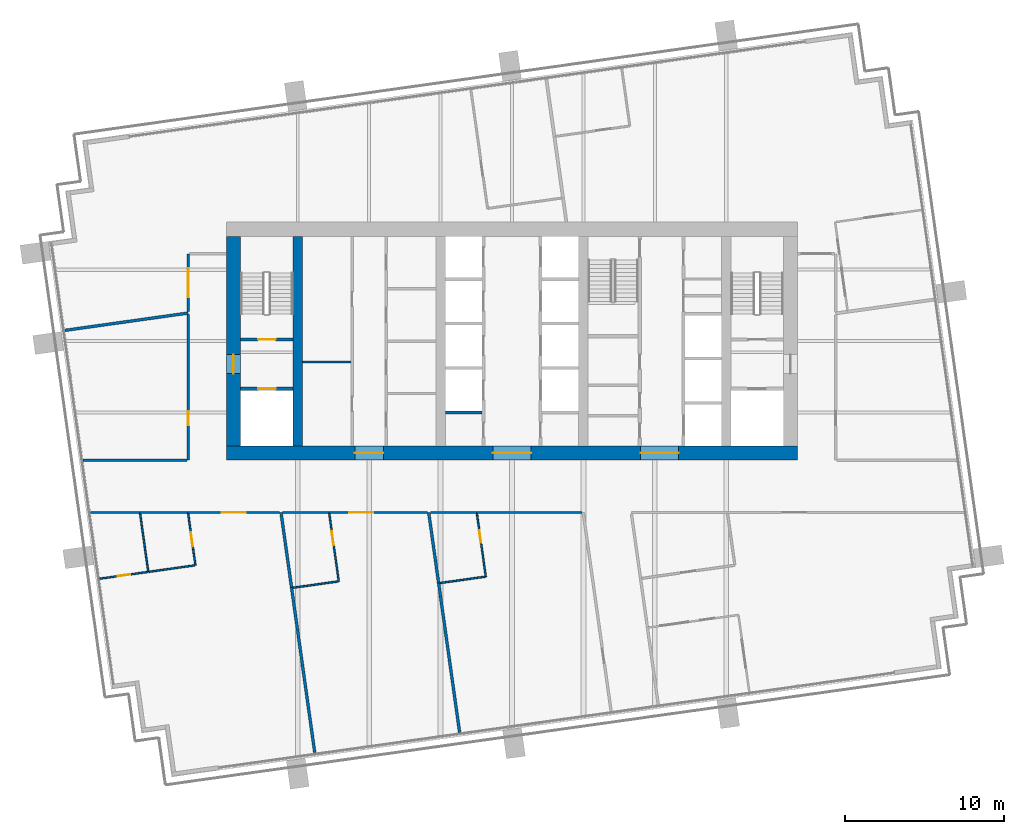
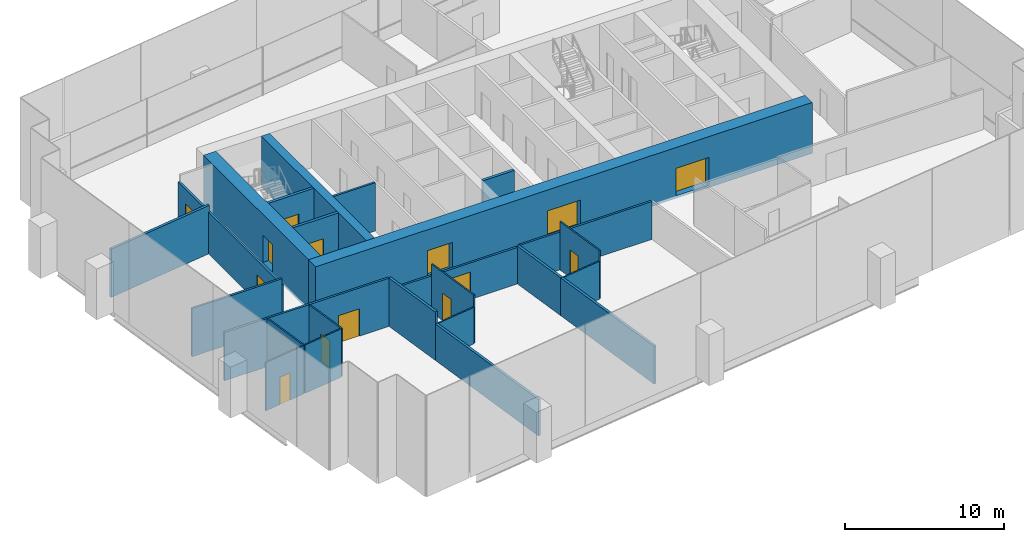
# One storey, part 9 of 17: 30 walls, 14 doors, 14 openings.
"""IFC4 building model written with IfcOpenShell, lengths in metres."""

from ifc_helpers import new_model, si_unit, direction, frame, frame_2d, origin, place, context, subcontext, project, spatial, rectangle, extrude, material, layer, layer_set, type_object, element, fill, save


model = new_model("IFC4")

# Units and contexts
model_context = context("Model", 3, precision=1e-05, world=origin(), true_north=direction((0.0, 1.0)))
body_context = subcontext(model_context, "Body", "Model", "MODEL_VIEW")
ifc_project = project(units=[si_unit("LENGTHUNIT", "METRE"), si_unit("AREAUNIT", "SQUARE_METRE"), si_unit("VOLUMEUNIT", "CUBIC_METRE"), si_unit("PLANEANGLEUNIT", "RADIAN"), si_unit("MASSUNIT", "GRAM", prefix="KILO")], contexts=[model_context])

# Site, building, storey
site_placement = place(None, origin())
site = spatial("IfcSite", under=ifc_project, at=site_placement, CompositionType="ELEMENT")
building_placement = place(site_placement, origin())
building = spatial("IfcBuilding", under=site, at=building_placement, Name="Rattan Terrace Tower", CompositionType="ELEMENT")
storey_placement = place(building_placement, frame((0.0, 0.0, 191.89990234375)))
storey = spatial("IfcBuildingStorey", under=building, at=storey_placement, Name="L44", CompositionType="ELEMENT", Elevation=191.89990234375)

# Wall
ifc_material_1 = material(Name="Gypsum board partition")
ifc_layer_1 = layer(ifc_material_1, 0.14990234375)
ifc_layer_set_1 = layer_set([ifc_layer_1], Name="Core partition 150")
wall_type_1 = type_object("IfcWallType", Name="Core partition 150", PredefinedType="PARTITIONING", material=ifc_layer_set_1)
wall_1_placement = place(storey_placement, frame((-13.199951171875, -1.320068359375, 0.0), z_axis=(0.0, 0.0, 1.0), x_axis=(1.0, 0.0, 0.0)))
element("IfcWall", 1, at=wall_1_placement, inside=storey, type_object=wall_type_1, Name="Core room wall", PredefinedType="PARTITIONING", context=body_context, shape_type="SweptSolid", body=[
    extrude(rectangle(XDim=3.050048828125, YDim=0.14990234375, at=frame_2d((1.52490234375, 0.0))), origin(), (0.0, 0.0, 1.0), 3.7001953125),
])

# Wall, opening, door
ifc_material_2 = material(Name="Gypsum board partition")
ifc_layer_2 = layer(ifc_material_2, 0.199951171875)
ifc_layer_set_2 = layer_set([ifc_layer_2], Name="Core partition 200")
wall_type_2 = type_object("IfcWallType", Name="Core partition 200", PredefinedType="PARTITIONING", material=ifc_layer_set_2)
wall_2_placement = place(storey_placement, frame((-17.10009765625, -3.0, 0.0), z_axis=(0.0, 0.0, 1.0), x_axis=(1.0, 0.0, 0.0)))
wall_2 = element("IfcWall", 2, at=wall_2_placement, inside=storey, type_object=wall_type_2, Name="Fire-fighting lobby wall", PredefinedType="PARTITIONING", context=body_context, shape_type="SweptSolid", body=[
    extrude(rectangle(XDim=3.300048828125, YDim=0.199951171875, at=frame_2d((1.64990234375, 0.0))), origin(), (0.0, 0.0, 1.0), 3.7001953125),
])
opening_1_placement = place(wall_2_placement, frame((1.10009765625, 0.0, 0.0)))
opening_1 = element("IfcOpeningElement", 3, at=opening_1_placement, cuts=wall_2, Name="Opening L44-LD-FF1", PredefinedType="OPENING", context=body_context, shape_type="SweptSolid", body=[
    extrude(rectangle(XDim=1.10009765625, YDim=2.10009765625, at=frame_2d((0.550048828125, 1.050048828125))), frame((0.0, 0.110595703125, 0.0), z_axis=(0.0, -1.0, 0.0), x_axis=(1.0, 0.0, 0.0)), (0.0, 0.0, 1.0), 0.220947265625),
])
ifc_material_3 = material(Name="Brushed stainless landing door panel")
door_type_1 = type_object("IfcDoorType", Name="Core lift landing door 1100", OperationType="DOUBLE_DOOR_SLIDING", PredefinedType="DOOR", material=ifc_material_3)
door_1_placement = place(opening_1_placement, origin())
door_1 = element("IfcDoor", 4, at=door_1_placement, inside=storey, type_object=door_type_1, Name="Door L44-LD-FF1", OperationType="DOUBLE_DOOR_SLIDING", OverallHeight=2.10009765625, OverallWidth=1.10009765625, PredefinedType="DOOR", context=body_context, shape_type="SweptSolid", body=[
    extrude(rectangle(XDim=1.10009765625, YDim=2.10009765625, at=frame_2d((0.550048828125, 1.050048828125))), frame((0.0, 0.02490234375, 0.0), z_axis=(0.0, -1.0, 0.0), x_axis=(1.0, 0.0, 0.0)), (0.0, 0.0, 1.0), 0.050048828125),
])
fill(opening_1, door_1)

wall_3_placement = place(storey_placement, frame((-17.10009765625, 0.10009765625, 0.0), z_axis=(0.0, 0.0, 1.0), x_axis=(1.0, 0.0, 0.0)))
wall_3 = element("IfcWall", 5, at=wall_3_placement, inside=storey, type_object=wall_type_2, Name="Stair enclosure wall", PredefinedType="PARTITIONING", context=body_context, shape_type="SweptSolid", body=[
    extrude(rectangle(XDim=3.300048828125, YDim=0.199951171875, at=frame_2d((1.64990234375, 0.0))), origin(), (0.0, 0.0, 1.0), 3.7001953125),
])
opening_2_placement = place(wall_3_placement, frame((1.10009765625, 0.0, 0.0)))
opening_2 = element("IfcOpeningElement", 6, at=opening_2_placement, cuts=wall_3, Name="Opening L44-D002", PredefinedType="OPENING", context=body_context, shape_type="SweptSolid", body=[
    extrude(rectangle(XDim=1.10009765625, YDim=2.10009765625, at=frame_2d((0.550048828125, 1.050048828125))), frame((0.0, 0.110595703125, 0.0), z_axis=(0.0, -1.0, 0.0), x_axis=(1.0, 0.0, 0.0)), (0.0, 0.0, 1.0), 0.220947265625),
])
ifc_material_4 = material(Name="Hollow-metal fire door leaf")
door_type_2 = type_object("IfcDoorType", Name="Core stair door 1100", OperationType="NOTDEFINED", PredefinedType="DOOR", material=ifc_material_4)
door_2_placement = place(opening_2_placement, origin())
door_2 = element("IfcDoor", 7, at=door_2_placement, inside=storey, type_object=door_type_2, Name="Door L44-D002", OperationType="SINGLE_SWING_RIGHT", OverallHeight=2.10009765625, OverallWidth=1.10009765625, PredefinedType="DOOR", context=body_context, shape_type="SweptSolid", body=[
    extrude(rectangle(XDim=1.10009765625, YDim=2.10009765625, at=frame_2d((0.550048828125, 1.050048828125))), frame((0.0, 0.02490234375, 0.0), z_axis=(0.0, -1.0, 0.0), x_axis=(1.0, 0.0, 0.0)), (0.0, 0.0, 1.0), 0.050048828125),
])
fill(opening_2, door_2)

# Wall, openings, doors
ifc_material_5 = material(Name="Concrete C60/75", Category="concrete")
ifc_layer_3 = layer(ifc_material_5, 0.89990234375)
ifc_layer_set_3 = layer_set([ifc_layer_3], Name="Core ring wall 900 C60/75")
wall_type_3 = type_object("IfcWallType", Name="Core ring wall 900 C60/75", PredefinedType="SHEAR", material=ifc_layer_set_3)
wall_4_placement = place(storey_placement, frame((-18.0, -7.050048828125, -0.199951171875), z_axis=(0.0, 0.0, 1.0), x_axis=(1.0, 0.0, 0.0)))
wall_4 = element("IfcWall", 8, at=wall_4_placement, inside=storey, type_object=wall_type_3, Name="Rear core wall south", PredefinedType="SHEAR", context=body_context, shape_type="SweptSolid", body=[
    extrude(rectangle(XDim=36.0, YDim=0.89990234375, at=frame_2d((18.0, 0.0))), origin(), (0.0, 0.0, 1.0), 3.900146484375),
])
opening_3_placement = place(wall_4_placement, frame((8.10009765625, 0.0, 0.199951171875)))
opening_3 = element("IfcOpeningElement", 9, at=opening_3_placement, cuts=wall_4, Name="Opening L44-D011", PredefinedType="OPENING", context=body_context, shape_type="SweptSolid", body=[
    extrude(rectangle(XDim=1.800048828125, YDim=2.10009765625, at=frame_2d((0.89990234375, 1.050048828125))), frame((0.0, 0.46044921875, 0.0), z_axis=(0.0, -1.0, 0.0), x_axis=(1.0, 0.0, 0.0)), (0.0, 0.0, 1.0), 0.9208984375),
])
opening_4_placement = place(wall_4_placement, frame((16.800048828125, 0.0, 0.199951171875)))
opening_4 = element("IfcOpeningElement", 10, at=opening_4_placement, cuts=wall_4, Name="Opening L44-D014", PredefinedType="OPENING", context=body_context, shape_type="SweptSolid", body=[
    extrude(rectangle(XDim=2.39990234375, YDim=2.10009765625, at=frame_2d((1.199951171875, 1.050048828125))), frame((0.0, 0.46044921875, 0.0), z_axis=(0.0, -1.0, 0.0), x_axis=(1.0, 0.0, 0.0)), (0.0, 0.0, 1.0), 0.9208984375),
])
opening_5_placement = place(wall_4_placement, frame((26.10009765625, 0.0, 0.199951171875)))
opening_5 = element("IfcOpeningElement", 11, at=opening_5_placement, cuts=wall_4, Name="Opening L44-D019", PredefinedType="OPENING", context=body_context, shape_type="SweptSolid", body=[
    extrude(rectangle(XDim=2.39990234375, YDim=2.10009765625, at=frame_2d((1.199951171875, 1.050048828125))), frame((0.0, 0.46044921875, 0.0), z_axis=(0.0, -1.0, 0.0), x_axis=(1.0, 0.0, 0.0)), (0.0, 0.0, 1.0), 0.9208984375),
])
ifc_material_6 = material(Name="Hollow-metal fire door leaf")
door_type_3 = type_object("IfcDoorType", Name="Core lift lobby door 2400", OperationType="NOTDEFINED", PredefinedType="DOOR", material=ifc_material_6)
door_3_placement = place(opening_4_placement, origin())
door_3 = element("IfcDoor", 12, at=door_3_placement, inside=storey, type_object=door_type_3, Name="Door L44-D014", OperationType="DOUBLE_DOOR_DOUBLE_SWING", OverallHeight=2.10009765625, OverallWidth=2.39990234375, PredefinedType="DOOR", context=body_context, shape_type="SweptSolid", body=[
    extrude(rectangle(XDim=2.39990234375, YDim=2.10009765625, at=frame_2d((1.199951171875, 1.050048828125))), frame((0.0, 0.02490234375, 0.0), z_axis=(0.0, -1.0, 0.0), x_axis=(1.0, 0.0, 0.0)), (0.0, 0.0, 1.0), 0.050048828125),
])
fill(opening_4, door_3)
door_4_placement = place(opening_5_placement, origin())
door_4 = element("IfcDoor", 13, at=door_4_placement, inside=storey, type_object=door_type_3, Name="Door L44-D019", OperationType="DOUBLE_DOOR_DOUBLE_SWING", OverallHeight=2.10009765625, OverallWidth=2.39990234375, PredefinedType="DOOR", context=body_context, shape_type="SweptSolid", body=[
    extrude(rectangle(XDim=2.39990234375, YDim=2.10009765625, at=frame_2d((1.199951171875, 1.050048828125))), frame((0.0, 0.02490234375, 0.0), z_axis=(0.0, -1.0, 0.0), x_axis=(1.0, 0.0, 0.0)), (0.0, 0.0, 1.0), 0.050048828125),
])
fill(opening_5, door_4)
ifc_material_7 = material(Name="Hollow-metal fire door leaf")
door_type_4 = type_object("IfcDoorType", Name="Core service room door 1800", OperationType="NOTDEFINED", PredefinedType="DOOR", material=ifc_material_7)
door_5_placement = place(opening_3_placement, origin())
door_5 = element("IfcDoor", 14, at=door_5_placement, inside=storey, type_object=door_type_4, Name="Door L44-D011", OperationType="SINGLE_SWING_LEFT", OverallHeight=2.10009765625, OverallWidth=1.800048828125, PredefinedType="DOOR", context=body_context, shape_type="SweptSolid", body=[
    extrude(rectangle(XDim=1.800048828125, YDim=2.10009765625, at=frame_2d((0.89990234375, 1.050048828125))), frame((0.0, 0.02490234375, 0.0), z_axis=(0.0, -1.0, 0.0), x_axis=(1.0, 0.0, 0.0)), (0.0, 0.0, 1.0), 0.050048828125),
])
fill(opening_3, door_5)

# Wall, opening, door
wall_5_placement = place(storey_placement, frame((-17.550048828125, -6.60009765625, -0.199951171875), z_axis=(0.0, 0.0, 1.0), x_axis=(0.0, 1.0, 0.0)))
wall_5 = element("IfcWall", 15, at=wall_5_placement, inside=storey, type_object=wall_type_3, Name="Rear core wall west", PredefinedType="SHEAR", context=body_context, shape_type="SweptSolid", body=[
    extrude(rectangle(XDim=13.2001953125, YDim=0.89990234375, at=frame_2d((6.60009765625, 0.0))), origin(), (0.0, 0.0, 1.0), 3.900146484375),
])
opening_6_placement = place(wall_5_placement, frame((4.550048828125, 0.0, 0.199951171875)))
opening_6 = element("IfcOpeningElement", 16, at=opening_6_placement, cuts=wall_5, Name="Opening L44-D001", PredefinedType="OPENING", context=body_context, shape_type="SweptSolid", body=[
    extrude(rectangle(XDim=1.199951171875, YDim=2.10009765625, at=frame_2d((0.60009765625, 1.050048828125))), frame((0.0, 0.46044921875, 0.0), z_axis=(0.0, -1.0, 0.0), x_axis=(1.0, 0.0, 0.0)), (0.0, 0.0, 1.0), 0.9208984375),
])
ifc_material_8 = material(Name="Hollow-metal fire door leaf")
door_type_5 = type_object("IfcDoorType", Name="Core fire-fighting lobby door 1200", OperationType="NOTDEFINED", PredefinedType="DOOR", material=ifc_material_8)
door_6_placement = place(opening_6_placement, origin())
door_6 = element("IfcDoor", 17, at=door_6_placement, inside=storey, type_object=door_type_5, Name="Door L44-D001", OperationType="SINGLE_SWING_LEFT", OverallHeight=2.10009765625, OverallWidth=1.199951171875, PredefinedType="DOOR", context=body_context, shape_type="SweptSolid", body=[
    extrude(rectangle(XDim=1.199951171875, YDim=2.10009765625, at=frame_2d((0.60009765625, 1.050048828125))), frame((0.0, 0.02490234375, 0.0), z_axis=(0.0, -1.0, 0.0), x_axis=(1.0, 0.0, 0.0)), (0.0, 0.0, 1.0), 0.050048828125),
])
fill(opening_6, door_6)

# Walls
ifc_material_9 = material(Name="Concrete C60/75", Category="concrete")
ifc_layer_4 = layer(ifc_material_9, 0.60009765625)
ifc_layer_set_4 = layer_set([ifc_layer_4], Name="Core spine wall 600 C60/75")
wall_type_4 = type_object("IfcWallType", Name="Core spine wall 600 C60/75", PredefinedType="SHEAR", material=ifc_layer_set_4)
wall_6_placement = place(storey_placement, frame((-13.5, -6.60009765625, -0.199951171875), z_axis=(0.0, 0.0, 1.0), x_axis=(0.0, 1.0, 0.0)))
element("IfcWall", 18, at=wall_6_placement, inside=storey, type_object=wall_type_4, Name="Core spine wall 1", PredefinedType="SHEAR", context=body_context, shape_type="SweptSolid", body=[
    extrude(rectangle(XDim=13.2001953125, YDim=0.60009765625, at=frame_2d((6.60009765625, 0.0))), origin(), (0.0, 0.0, 1.0), 3.900146484375),
])
ifc_material_10 = material(Name="Double steel stud acoustic partition, gypsum board, mineral wool, fire rated", Category="steel")
ifc_layer_5 = layer(ifc_material_10, 0.179931640625)
ifc_layer_set_5 = layer_set([ifc_layer_5], Name="Floors Acoustic Party Wall 180")
wall_type_5 = type_object("IfcWallType", Name="Floors Acoustic Party Wall 180", PredefinedType="PARTITIONING", material=ifc_layer_set_5)
wall_7_placement = place(storey_placement, frame((-13.887939453125, -15.532958984375, 0.0), z_axis=(0.0, 0.0, 1.0), x_axis=(0.139107013986, -0.990277354411, 0.0)))
element("IfcWall", 19, at=wall_7_placement, inside=storey, type_object=wall_type_5, Name="pt-L44-025", PredefinedType="PARTITIONING", context=body_context, shape_type="SweptSolid", body=[
    extrude(rectangle(XDim=10.502197265625, YDim=0.179931640625, at=frame_2d((5.2509765625, 0.0))), origin(), (0.0, 0.0, 1.0), 2.800048828125),
])
wall_8_placement = place(storey_placement, frame((-14.552978515625, -10.800048828125, 0.0), z_axis=(0.0, 0.0, 1.0), x_axis=(0.139146821365, -0.990271761742, 0.0)))
element("IfcWall", 20, at=wall_8_placement, inside=storey, type_object=wall_type_5, Name="pt-L44-026", PredefinedType="PARTITIONING", context=body_context, shape_type="SweptSolid", body=[
    extrude(rectangle(XDim=4.779296875, YDim=0.179931640625, at=frame_2d((2.3896484375, 0.0))), origin(), (0.0, 0.0, 1.0), 3.7001953125),
])
wall_9_placement = place(storey_placement, frame((-4.6240234375, -15.237060546875, 0.0), z_axis=(0.0, 0.0, 1.0), x_axis=(0.13917022879, -0.990268472395, 0.0)))
element("IfcWall", 21, at=wall_9_placement, inside=storey, type_object=wall_type_5, Name="pt-L44-030", PredefinedType="PARTITIONING", context=body_context, shape_type="SweptSolid", body=[
    extrude(rectangle(XDim=9.50634765625, YDim=0.179931640625, at=frame_2d((4.753173828125, 0.0))), origin(), (0.0, 0.0, 1.0), 2.900146484375),
])
wall_10_placement = place(storey_placement, frame((-5.248046875, -10.800048828125, 0.0), z_axis=(0.0, 0.0, 1.0), x_axis=(0.139299923233, -0.990250236752, 0.0)))
element("IfcWall", 22, at=wall_10_placement, inside=storey, type_object=wall_type_5, Name="pt-L44-031", PredefinedType="PARTITIONING", context=body_context, shape_type="SweptSolid", body=[
    extrude(rectangle(XDim=4.479736328125, YDim=0.179931640625, at=frame_2d((2.23974609375, 0.0))), origin(), (0.0, 0.0, 1.0), 2.900146484375),
])
wall_11_placement = place(storey_placement, frame((-28.166015625, 0.676025390625, 0.0), z_axis=(0.0, 0.0, 1.0), x_axis=(0.990274949164, 0.139124135423, 0.0)))
element("IfcWall", 23, at=wall_11_placement, inside=storey, type_object=wall_type_5, Name="pt-L44-038", PredefinedType="PARTITIONING", context=body_context, shape_type="SweptSolid", body=[
    extrude(rectangle(XDim=7.84228515625, YDim=0.179931640625, at=frame_2d((3.921142578125, 0.0))), origin(), (0.0, 0.0, 1.0), 3.7001953125),
])

# Wall, opening, door
ifc_material_11 = material(Name="Gypsum board partition on steel studs", Category="steel")
ifc_layer_6 = layer(ifc_material_11, 0.10009765625)
ifc_layer_set_6 = layer_set([ifc_layer_6], Name="Floors Partition 100")
wall_type_6 = type_object("IfcWallType", Name="Floors Partition 100", PredefinedType="PARTITIONING", material=ifc_layer_set_6)
wall_12_placement = place(storey_placement, frame((-25.966064453125, -14.969970703125, 0.0), z_axis=(0.0, 0.0, 1.0), x_axis=(0.990303801212, 0.138918613964, 0.0)))
wall_12 = element("IfcWall", 24, at=wall_12_placement, inside=storey, type_object=wall_type_6, Name="pt-L44-022", PredefinedType="PARTITIONING", context=body_context, shape_type="SweptSolid", body=[
    extrude(rectangle(XDim=3.059814453125, YDim=0.10009765625, at=frame_2d((1.52978515625, 0.0))), origin(), (0.0, 0.0, 1.0), 3.7001953125),
])
opening_7_placement = place(wall_12_placement, frame((1.1298828125, 0.0, 0.0)))
opening_7 = element("IfcOpeningElement", 25, at=opening_7_placement, cuts=wall_12, Name="Opening L44-D101", PredefinedType="OPENING", context=body_context, shape_type="SweptSolid", body=[
    extrude(rectangle(XDim=0.800048828125, YDim=2.10009765625, at=frame_2d((0.39990234375, 1.050048828125))), frame((0.0, 0.060546875, 0.0), z_axis=(0.0, -1.0, 0.0), x_axis=(1.0, 0.0, 0.0)), (0.0, 0.0, 1.0), 0.12109375),
])
ifc_material_12 = material(Name="Solid core timber door, painted", Category="wood")
door_type_6 = type_object("IfcDoorType", Name="Floors Store Door 800x2100", OperationType="NOTDEFINED", PredefinedType="DOOR", material=ifc_material_12)
door_7_placement = place(opening_7_placement, origin())
door_7 = element("IfcDoor", 26, at=door_7_placement, inside=storey, type_object=door_type_6, Name="d-L44-101", OperationType="SINGLE_SWING_RIGHT", OverallHeight=2.10009765625, OverallWidth=0.800048828125, PredefinedType="DOOR", context=body_context, shape_type="SweptSolid", body=[
    extrude(rectangle(XDim=0.800048828125, YDim=2.10009765625, at=frame_2d((0.39990234375, 1.050048828125))), frame((0.0, 0.02490234375, 0.0), z_axis=(0.0, -1.0, 0.0), x_axis=(1.0, 0.0, 0.0)), (0.0, 0.0, 1.0), 0.050048828125),
])
fill(opening_7, door_7)

# Wall
wall_13_placement = place(storey_placement, frame((-22.865966796875, -14.534912109375, 0.0), z_axis=(0.0, 0.0, 1.0), x_axis=(0.9902520421, 0.139287088837, 0.0)))
element("IfcWall", 27, at=wall_13_placement, inside=storey, type_object=wall_type_6, Name="pt-L44-023", PredefinedType="PARTITIONING", context=body_context, shape_type="SweptSolid", body=[
    extrude(rectangle(XDim=2.899169921875, YDim=0.10009765625, at=frame_2d((1.44970703125, 0.0))), origin(), (0.0, 0.0, 1.0), 3.7001953125),
])

# Wall, opening, door
wall_14_placement = place(storey_placement, frame((-19.945068359375, -14.1240234375, 0.0), z_axis=(0.0, 0.0, 1.0), x_axis=(-0.139290097993, 0.990251618833, 0.0)))
wall_14 = element("IfcWall", 28, at=wall_14_placement, inside=storey, type_object=wall_type_6, Name="pt-L44-024", PredefinedType="PARTITIONING", context=body_context, shape_type="SweptSolid", body=[
    extrude(rectangle(XDim=3.2880859375, YDim=0.10009765625, at=frame_2d((1.64404296875, 0.0))), origin(), (0.0, 0.0, 1.0), 3.7001953125),
])
opening_8_placement = place(wall_14_placement, frame((1.194091796875, 0.0, 0.0)))
opening_8 = element("IfcOpeningElement", 29, at=opening_8_placement, cuts=wall_14, Name="Opening L44-D102", PredefinedType="OPENING", context=body_context, shape_type="SweptSolid", body=[
    extrude(rectangle(XDim=0.89990234375, YDim=2.10009765625, at=frame_2d((0.449951171875, 1.050048828125))), frame((0.0, 0.060546875, 0.0), z_axis=(0.0, -1.0, 0.0), x_axis=(1.0, 0.0, 0.0)), (0.0, 0.0, 1.0), 0.12109375),
])
ifc_material_13 = material(Name="Solid core timber door, painted", Category="wood")
door_type_7 = type_object("IfcDoorType", Name="Floors Door 900x2100", OperationType="NOTDEFINED", PredefinedType="DOOR", material=ifc_material_13)
door_8_placement = place(opening_8_placement, origin())
door_8 = element("IfcDoor", 30, at=door_8_placement, inside=storey, type_object=door_type_7, Name="d-L44-102", OperationType="SINGLE_SWING_LEFT", OverallHeight=2.10009765625, OverallWidth=0.89990234375, PredefinedType="DOOR", context=body_context, shape_type="SweptSolid", body=[
    extrude(rectangle(XDim=0.89990234375, YDim=2.10009765625, at=frame_2d((0.449951171875, 1.050048828125))), frame((0.0, 0.02490234375, 0.0), z_axis=(0.0, -1.0, 0.0), x_axis=(1.0, 0.0, 0.0)), (0.0, 0.0, 1.0), 0.050048828125),
])
fill(opening_8, door_8)

# Walls
wall_15_placement = place(storey_placement, frame((-23.431884765625, -10.867919921875, 0.0), z_axis=(0.0, 0.0, 1.0), x_axis=(0.139044103827, -0.990286189539, 0.0)))
element("IfcWall", 31, at=wall_15_placement, inside=storey, type_object=wall_type_6, Name="pt-L44-027", PredefinedType="PARTITIONING", context=body_context, shape_type="SweptSolid", body=[
    extrude(rectangle(XDim=3.710205078125, YDim=0.10009765625, at=frame_2d((1.85498046875, 0.0))), origin(), (0.0, 0.0, 1.0), 3.7001953125),
])
wall_16_placement = place(storey_placement, frame((-13.7958984375, -15.541015625, 0.0), z_axis=(0.0, 0.0, 1.0), x_axis=(0.990263018372, 0.139209031475, 0.0)))
element("IfcWall", 32, at=wall_16_placement, inside=storey, type_object=wall_type_6, Name="pt-L44-028", PredefinedType="PARTITIONING", context=body_context, shape_type="SweptSolid", body=[
    extrude(rectangle(XDim=2.858642578125, YDim=0.10009765625, at=frame_2d((1.42919921875, 0.0))), origin(), (0.0, 0.0, 1.0), 2.800048828125),
])

# Wall, opening, door
wall_17_placement = place(storey_placement, frame((-10.9150390625, -15.135986328125, 0.0), z_axis=(0.0, 0.0, 1.0), x_axis=(-0.138954517122, 0.990298764097, 0.0)))
wall_17 = element("IfcWall", 33, at=wall_17_placement, inside=storey, type_object=wall_type_6, Name="pt-L44-029", PredefinedType="PARTITIONING", context=body_context, shape_type="SweptSolid", body=[
    extrude(rectangle(XDim=4.309814453125, YDim=0.10009765625, at=frame_2d((2.15478515625, 0.0))), origin(), (0.0, 0.0, 1.0), 3.7001953125),
])
opening_9_placement = place(wall_17_placement, frame((2.287109375, 0.0, 0.0)))
opening_9 = element("IfcOpeningElement", 34, at=opening_9_placement, cuts=wall_17, Name="Opening L44-D104", PredefinedType="OPENING", context=body_context, shape_type="SweptSolid", body=[
    extrude(rectangle(XDim=0.89990234375, YDim=2.10009765625, at=frame_2d((0.449951171875, 1.050048828125))), frame((0.0, 0.060546875, 0.0), z_axis=(0.0, -1.0, 0.0), x_axis=(1.0, 0.0, 0.0)), (0.0, 0.0, 1.0), 0.12109375),
])
door_9_placement = place(opening_9_placement, origin())
door_9 = element("IfcDoor", 35, at=door_9_placement, inside=storey, type_object=door_type_7, Name="d-L44-104", OperationType="SINGLE_SWING_RIGHT", OverallHeight=2.10009765625, OverallWidth=0.89990234375, PredefinedType="DOOR", context=body_context, shape_type="SweptSolid", body=[
    extrude(rectangle(XDim=0.89990234375, YDim=2.10009765625, at=frame_2d((0.449951171875, 1.050048828125))), frame((0.0, 0.02490234375, 0.0), z_axis=(0.0, -1.0, 0.0), x_axis=(1.0, 0.0, 0.0)), (0.0, 0.0, 1.0), 0.050048828125),
])
fill(opening_9, door_9)

# Wall
wall_18_placement = place(storey_placement, frame((-4.531982421875, -15.243896484375, 0.0), z_axis=(0.0, 0.0, 1.0), x_axis=(0.990264673226, 0.139197259172, 0.0)))
element("IfcWall", 36, at=wall_18_placement, inside=storey, type_object=wall_type_6, Name="pt-L44-032", PredefinedType="PARTITIONING", context=body_context, shape_type="SweptSolid", body=[
    extrude(rectangle(XDim=2.85888671875, YDim=0.10009765625, at=frame_2d((1.429443359375, 0.0))), origin(), (0.0, 0.0, 1.0), 2.900146484375),
])

# Wall, opening, door
wall_19_placement = place(storey_placement, frame((-1.65087890625, -14.839111328125, 0.0), z_axis=(0.0, 0.0, 1.0), x_axis=(-0.139170879072, 0.990268381005, 0.0)))
wall_19 = element("IfcWall", 37, at=wall_19_placement, inside=storey, type_object=wall_type_6, Name="pt-L44-033", PredefinedType="PARTITIONING", context=body_context, shape_type="SweptSolid", body=[
    extrude(rectangle(XDim=4.01025390625, YDim=0.10009765625, at=frame_2d((2.005126953125, 0.0))), origin(), (0.0, 0.0, 1.0), 3.7001953125),
])
opening_10_placement = place(wall_19_placement, frame((2.14697265625, 0.0, 0.0)))
opening_10 = element("IfcOpeningElement", 38, at=opening_10_placement, cuts=wall_19, Name="Opening L44-D106", PredefinedType="OPENING", context=body_context, shape_type="SweptSolid", body=[
    extrude(rectangle(XDim=0.800048828125, YDim=2.10009765625, at=frame_2d((0.39990234375, 1.050048828125))), frame((0.0, 0.060546875, 0.0), z_axis=(0.0, -1.0, 0.0), x_axis=(1.0, 0.0, 0.0)), (0.0, 0.0, 1.0), 0.12109375),
])
door_10_placement = place(opening_10_placement, origin())
door_10 = element("IfcDoor", 39, at=door_10_placement, inside=storey, type_object=door_type_6, Name="d-L44-106", OperationType="SINGLE_SWING_RIGHT", OverallHeight=2.10009765625, OverallWidth=0.800048828125, PredefinedType="DOOR", context=body_context, shape_type="SweptSolid", body=[
    extrude(rectangle(XDim=0.800048828125, YDim=2.10009765625, at=frame_2d((0.39990234375, 1.050048828125))), frame((0.0, 0.02490234375, 0.0), z_axis=(0.0, -1.0, 0.0), x_axis=(1.0, 0.0, 0.0)), (0.0, 0.0, 1.0), 0.050048828125),
])
fill(opening_10, door_10)

ifc_material_14 = material(Name="Gypsum board partition on steel studs, fire rated", Category="steel")
ifc_layer_7 = layer(ifc_material_14, 0.14990234375)
ifc_layer_set_7 = layer_set([ifc_layer_7], Name="Floors Tenancy Wall 150")
wall_type_7 = type_object("IfcWallType", Name="Floors Tenancy Wall 150", PredefinedType="PARTITIONING", material=ifc_layer_set_7)
wall_20_placement = place(storey_placement, frame((-14.64208984375, -10.800048828125, 0.0), z_axis=(0.0, 0.0, 1.0), x_axis=(-1.0, 0.0, 0.0)))
wall_20 = element("IfcWall", 40, at=wall_20_placement, inside=storey, type_object=wall_type_7, Name="pt-L44-001", PredefinedType="PARTITIONING", context=body_context, shape_type="SweptSolid", body=[
    extrude(rectangle(XDim=5.791015625, YDim=0.14990234375, at=frame_2d((2.8955078125, 0.0))), origin(), (0.0, 0.0, 1.0), 3.7001953125),
])
opening_11_placement = place(wall_20_placement, frame((2.14501953125, 0.0, 0.0)))
opening_11 = element("IfcOpeningElement", 41, at=opening_11_placement, cuts=wall_20, Name="Opening L44-D100", PredefinedType="OPENING", context=body_context, shape_type="SweptSolid", body=[
    extrude(rectangle(XDim=1.5, YDim=2.10009765625, at=frame_2d((0.75, 1.050048828125))), frame((0.0, 0.08544921875, 0.0), z_axis=(0.0, -1.0, 0.0), x_axis=(1.0, 0.0, 0.0)), (0.0, 0.0, 1.0), 0.1708984375),
])
ifc_material_15 = material(Name="Steel fire door set", Category="steel")
door_type_8 = type_object("IfcDoorType", Name="Floors Unit Door Pair FD30S 1500x2100", OperationType="NOTDEFINED", PredefinedType="DOOR", material=ifc_material_15)
door_11_placement = place(opening_11_placement, origin())
door_11 = element("IfcDoor", 42, at=door_11_placement, inside=storey, type_object=door_type_8, Name="d-L44-100", OperationType="DOUBLE_DOOR_SINGLE_SWING", OverallHeight=2.10009765625, OverallWidth=1.5, PredefinedType="DOOR", context=body_context, shape_type="SweptSolid", body=[
    extrude(rectangle(XDim=1.5, YDim=2.10009765625, at=frame_2d((0.75, 1.050048828125))), frame((0.0, 0.02490234375, 0.0), z_axis=(0.0, -1.0, 0.0), x_axis=(1.0, 0.0, 0.0)), (0.0, 0.0, 1.0), 0.050048828125),
])
fill(opening_11, door_11)

# Walls
wall_21_placement = place(storey_placement, frame((-23.4619140625, -10.800048828125, 0.0), z_axis=(0.0, 0.0, 1.0), x_axis=(-1.0, 0.0, 0.0)))
element("IfcWall", 43, at=wall_21_placement, inside=storey, type_object=wall_type_7, Name="pt-L44-002", PredefinedType="PARTITIONING", context=body_context, shape_type="SweptSolid", body=[
    extrude(rectangle(XDim=3.090087890625, YDim=0.14990234375, at=frame_2d((1.544921875, 0.0))), origin(), (0.0, 0.0, 1.0), 3.7001953125),
])
wall_22_placement = place(storey_placement, frame((-20.43310546875, -10.800048828125, 0.0), z_axis=(0.0, 0.0, 1.0), x_axis=(-1.0, 0.0, 0.0)))
element("IfcWall", 44, at=wall_22_placement, inside=storey, type_object=wall_type_7, Name="pt-L44-003", PredefinedType="PARTITIONING", context=body_context, shape_type="SweptSolid", body=[
    extrude(rectangle(XDim=3.02880859375, YDim=0.14990234375, at=frame_2d((1.514404296875, 0.0))), origin(), (0.0, 0.0, 1.0), 3.7001953125),
])

# Wall, opening, door
wall_23_placement = place(storey_placement, frame((-5.3369140625, -10.800048828125, 0.0), z_axis=(0.0, 0.0, 1.0), x_axis=(-1.0, 0.0, 0.0)))
wall_23 = element("IfcWall", 45, at=wall_23_placement, inside=storey, type_object=wall_type_7, Name="pt-L44-004", PredefinedType="PARTITIONING", context=body_context, shape_type="SweptSolid", body=[
    extrude(rectangle(XDim=6.20703125, YDim=0.14990234375, at=frame_2d((3.103515625, 0.0))), origin(), (0.0, 0.0, 1.0), 2.800048828125),
])
opening_12_placement = place(wall_23_placement, frame((3.405029296875, 0.0, 0.0)))
opening_12 = element("IfcOpeningElement", 46, at=opening_12_placement, cuts=wall_23, Name="Opening L44-D103", PredefinedType="OPENING", context=body_context, shape_type="SweptSolid", body=[
    extrude(rectangle(XDim=1.5, YDim=2.10009765625, at=frame_2d((0.75, 1.050048828125))), frame((0.0, 0.08544921875, 0.0), z_axis=(0.0, -1.0, 0.0), x_axis=(1.0, 0.0, 0.0)), (0.0, 0.0, 1.0), 0.1708984375),
])
door_12_placement = place(opening_12_placement, origin())
door_12 = element("IfcDoor", 47, at=door_12_placement, inside=storey, type_object=door_type_8, Name="d-L44-103", OperationType="DOUBLE_DOOR_SINGLE_SWING", OverallHeight=2.10009765625, OverallWidth=1.5, PredefinedType="DOOR", context=body_context, shape_type="SweptSolid", body=[
    extrude(rectangle(XDim=1.5, YDim=2.10009765625, at=frame_2d((0.75, 1.050048828125))), frame((0.0, 0.02490234375, 0.0), z_axis=(0.0, -1.0, 0.0), x_axis=(1.0, 0.0, 0.0)), (0.0, 0.0, 1.0), 0.050048828125),
])
fill(opening_12, door_12)

# Walls
wall_24_placement = place(storey_placement, frame((-11.5439453125, -10.800048828125, 0.0), z_axis=(0.0, 0.0, 1.0), x_axis=(-1.0, 0.0, 0.0)))
element("IfcWall", 48, at=wall_24_placement, inside=storey, type_object=wall_type_7, Name="pt-L44-005", PredefinedType="PARTITIONING", context=body_context, shape_type="SweptSolid", body=[
    extrude(rectangle(XDim=2.907958984375, YDim=0.14990234375, at=frame_2d((1.4541015625, 0.0))), origin(), (0.0, 0.0, 1.0), 2.800048828125),
])
wall_25_placement = place(storey_placement, frame((4.410888671875, -10.800048828125, 0.0), z_axis=(0.0, 0.0, 1.0), x_axis=(-1.0, 0.0, 0.0)))
element("IfcWall", 49, at=wall_25_placement, inside=storey, type_object=wall_type_7, Name="pt-L44-006", PredefinedType="PARTITIONING", context=body_context, shape_type="SweptSolid", body=[
    extrude(rectangle(XDim=6.64990234375, YDim=0.14990234375, at=frame_2d((3.324951171875, 0.0))), origin(), (0.0, 0.0, 1.0), 2.900146484375),
])
wall_26_placement = place(storey_placement, frame((-2.239013671875, -10.800048828125, 0.0), z_axis=(0.0, 0.0, 1.0), x_axis=(-1.0, 0.0, 0.0)))
element("IfcWall", 50, at=wall_26_placement, inside=storey, type_object=wall_type_7, Name="pt-L44-008", PredefinedType="PARTITIONING", context=body_context, shape_type="SweptSolid", body=[
    extrude(rectangle(XDim=2.907958984375, YDim=0.14990234375, at=frame_2d((1.4541015625, 0.0))), origin(), (0.0, 0.0, 1.0), 2.900146484375),
])
wall_27_placement = place(storey_placement, frame((-27.014892578125, -7.5, 0.0), z_axis=(0.0, 0.0, 1.0), x_axis=(1.0, 0.0, 0.0)))
element("IfcWall", 51, at=wall_27_placement, inside=storey, type_object=wall_type_7, Name="pt-L44-014", PredefinedType="PARTITIONING", context=body_context, shape_type="SweptSolid", body=[
    extrude(rectangle(XDim=6.539794921875, YDim=0.14990234375, at=frame_2d((3.27001953125, 0.0))), origin(), (0.0, 0.0, 1.0), 3.7001953125),
])

# Wall, opening, door
wall_28_placement = place(storey_placement, frame((-20.39990234375, -7.5, 0.0), z_axis=(0.0, 0.0, 1.0), x_axis=(0.0, 1.0, 0.0)))
wall_28 = element("IfcWall", 52, at=wall_28_placement, inside=storey, type_object=wall_type_7, Name="pt-L44-015", PredefinedType="PARTITIONING", context=body_context, shape_type="SweptSolid", body=[
    extrude(rectangle(XDim=9.166015625, YDim=0.14990234375, at=frame_2d((4.5830078125, 0.0))), origin(), (0.0, 0.0, 1.0), 3.2001953125),
])
opening_13_placement = place(wall_28_placement, frame((2.19091796875, 0.0, 0.0)))
opening_13 = element("IfcOpeningElement", 53, at=opening_13_placement, cuts=wall_28, Name="Opening L44-D110", PredefinedType="OPENING", context=body_context, shape_type="SweptSolid", body=[
    extrude(rectangle(XDim=0.89990234375, YDim=2.10009765625, at=frame_2d((0.449951171875, 1.050048828125))), frame((0.0, 0.08544921875, 0.0), z_axis=(0.0, -1.0, 0.0), x_axis=(1.0, 0.0, 0.0)), (0.0, 0.0, 1.0), 0.1708984375),
])
ifc_material_16 = material(Name="Steel fire door set", Category="steel")
door_type_9 = type_object("IfcDoorType", Name="Floors Fire Door FD30S 900x2100", OperationType="NOTDEFINED", PredefinedType="DOOR", material=ifc_material_16)
door_13_placement = place(opening_13_placement, origin())
door_13 = element("IfcDoor", 54, at=door_13_placement, inside=storey, type_object=door_type_9, Name="d-L44-110", OperationType="SINGLE_SWING_LEFT", OverallHeight=2.10009765625, OverallWidth=0.89990234375, PredefinedType="DOOR", context=body_context, shape_type="SweptSolid", body=[
    extrude(rectangle(XDim=0.89990234375, YDim=2.10009765625, at=frame_2d((0.449951171875, 1.050048828125))), frame((0.0, 0.02490234375, 0.0), z_axis=(0.0, -1.0, 0.0), x_axis=(1.0, 0.0, 0.0)), (0.0, 0.0, 1.0), 0.050048828125),
])
fill(opening_13, door_13)

wall_29_placement = place(storey_placement, frame((-20.39990234375, 1.85595703125, 0.0), z_axis=(0.0, 0.0, 1.0), x_axis=(0.0, 1.0, 0.0)))
wall_29 = element("IfcWall", 55, at=wall_29_placement, inside=storey, type_object=wall_type_7, Name="pt-L44-016", PredefinedType="PARTITIONING", context=body_context, shape_type="SweptSolid", body=[
    extrude(rectangle(XDim=3.64404296875, YDim=0.14990234375, at=frame_2d((1.822021484375, 0.0))), origin(), (0.0, 0.0, 1.0), 3.2001953125),
])
opening_14_placement = place(wall_29_placement, frame((0.922119140625, 0.0, 0.0)))
opening_14 = element("IfcOpeningElement", 56, at=opening_14_placement, cuts=wall_29, Name="Opening L44-D111", PredefinedType="OPENING", context=body_context, shape_type="SweptSolid", body=[
    extrude(rectangle(XDim=1.800048828125, YDim=2.10009765625, at=frame_2d((0.89990234375, 1.050048828125))), frame((0.0, 0.08544921875, 0.0), z_axis=(0.0, -1.0, 0.0), x_axis=(1.0, 0.0, 0.0)), (0.0, 0.0, 1.0), 0.1708984375),
])
ifc_material_17 = material(Name="Steel fire door set", Category="steel")
door_type_10 = type_object("IfcDoorType", Name="Floors Fire Door Pair FD30S 1800x2100", OperationType="NOTDEFINED", PredefinedType="DOOR", material=ifc_material_17)
door_14_placement = place(opening_14_placement, origin())
door_14 = element("IfcDoor", 57, at=door_14_placement, inside=storey, type_object=door_type_10, Name="d-L44-111", OperationType="DOUBLE_DOOR_SINGLE_SWING", OverallHeight=2.10009765625, OverallWidth=1.800048828125, PredefinedType="DOOR", context=body_context, shape_type="SweptSolid", body=[
    extrude(rectangle(XDim=1.800048828125, YDim=2.10009765625, at=frame_2d((0.89990234375, 1.050048828125))), frame((0.0, 0.02490234375, 0.0), z_axis=(0.0, -1.0, 0.0), x_axis=(1.0, 0.0, 0.0)), (0.0, 0.0, 1.0), 0.050048828125),
])
fill(opening_14, door_14)

# Wall
ifc_material_18 = material(Name="Gypsum shaft wall system")
ifc_layer_8 = layer(ifc_material_18, 0.199951171875)
ifc_layer_set_8 = layer_set([ifc_layer_8], Name="Lift shaft wall 200")
wall_type_8 = type_object("IfcWallType", Name="Lift shaft wall 200", PredefinedType="PARTITIONING", material=ifc_layer_set_8)
wall_30_placement = place(storey_placement, frame((-4.199951171875, -4.5, 0.0), z_axis=(0.0, 0.0, 1.0), x_axis=(1.0, 0.0, 0.0)))
element("IfcWall", 58, at=wall_30_placement, inside=storey, type_object=wall_type_8, Name="Lift shaft wall", PredefinedType="PARTITIONING", context=body_context, shape_type="SweptSolid", body=[
    extrude(rectangle(XDim=2.300048828125, YDim=0.199951171875, at=frame_2d((1.14990234375, 0.0))), origin(), (0.0, 0.0, 1.0), 3.7001953125),
])

save(model, "model.ifc")
